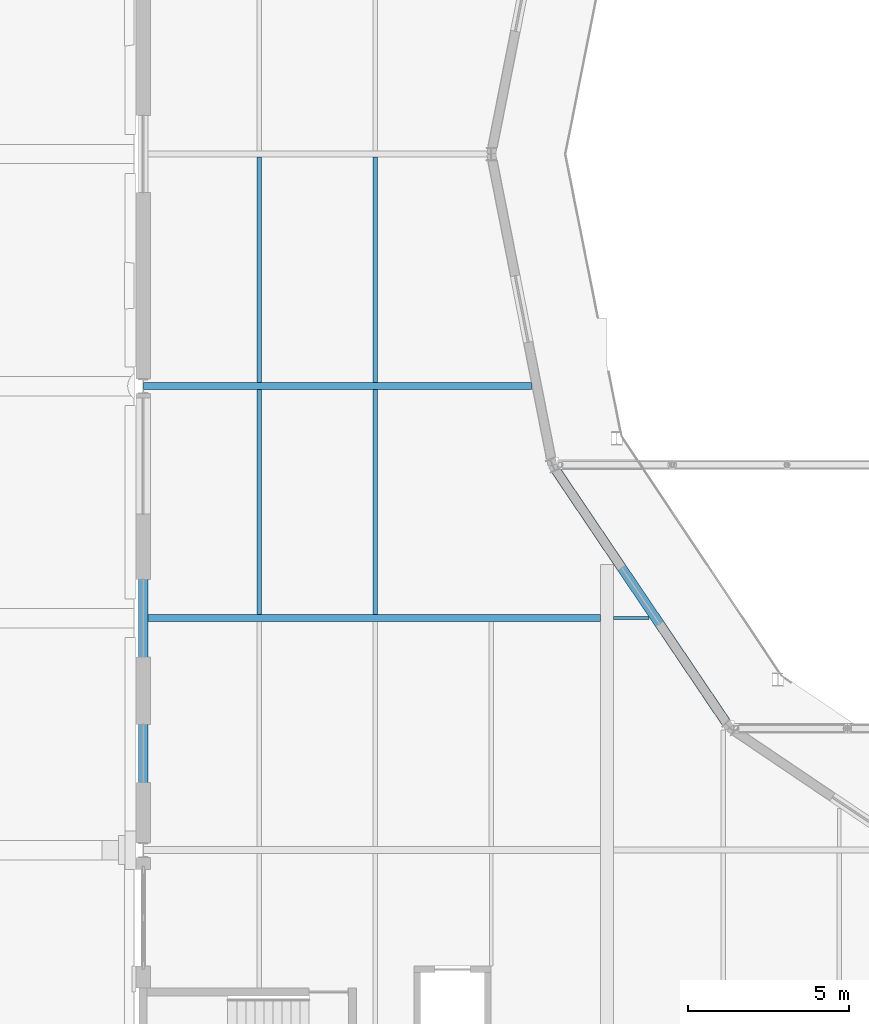
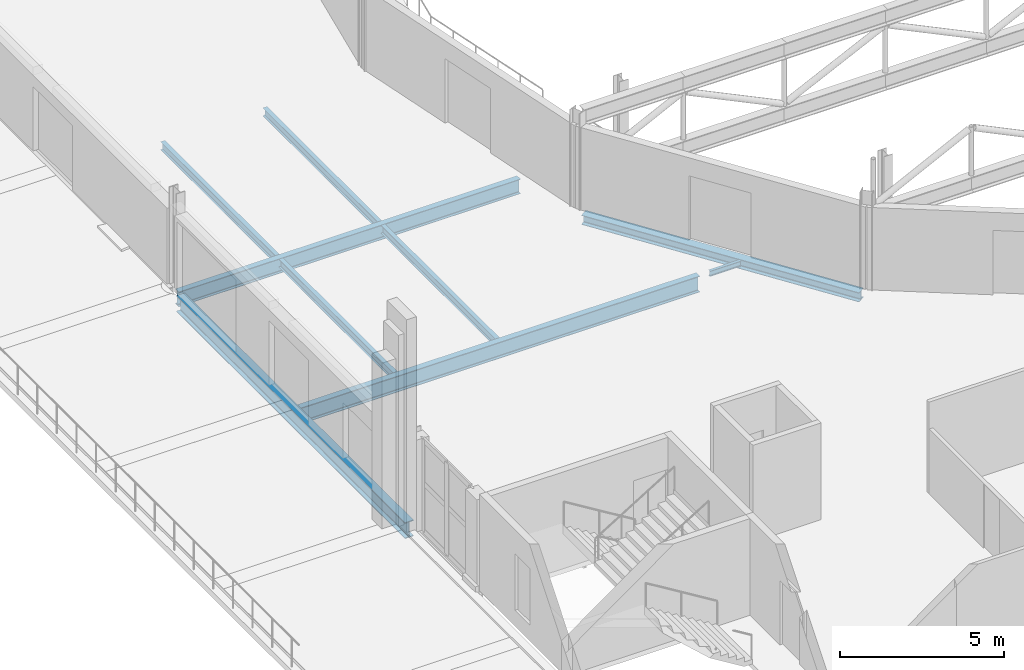
# One storey, part 35 of 143: 9 beams.
"""IFC4 building model written with IfcOpenShell, lengths in metres."""

from ifc_helpers import new_model, si_unit, direction, frame, origin, origin_2d, place, context, subcontext, project, spatial, i_section, extrude, material, material_profile, profile_set, type_object, element, save


model = new_model("IFC4")

# Units and contexts
model_context = context("Model", 3, precision=1e-05, world=origin(), true_north=direction((0.0, 1.0)))
body_context = subcontext(model_context, "Body", "Model", "MODEL_VIEW")
ifc_project = project(units=[si_unit("LENGTHUNIT", "METRE"), si_unit("AREAUNIT", "SQUARE_METRE"), si_unit("VOLUMEUNIT", "CUBIC_METRE"), si_unit("PLANEANGLEUNIT", "RADIAN"), si_unit("MASSUNIT", "GRAM", prefix="KILO")], contexts=[model_context])

# Site, building, storey
site_placement = place(None, origin())
site = spatial("IfcSite", under=ifc_project, at=site_placement, CompositionType="ELEMENT")
building_placement = place(site_placement, origin())
building = spatial("IfcBuilding", under=site, at=building_placement, Name="Kupolbacken Congress Centre", CompositionType="ELEMENT")
storey_placement = place(building_placement, frame((0.0, 0.0, 7.199951171875)))
storey = spatial("IfcBuildingStorey", under=building, at=storey_placement, Name="L02", CompositionType="ELEMENT", Elevation=7.199951171875)

# Beams
ifc_material_1 = material(Name="Steel S355", Category="steel")
ifc_material_profile_1 = material_profile(ifc_material_1, i_section(OverallWidth=0.10009765625, OverallDepth=0.199951171875, WebThickness=0.005615234375, FlangeThickness=0.008544921875, FilletRadius=0.011962890625, at=origin_2d()), Name="IPE 200")
ifc_profile_set_1 = profile_set([ifc_material_profile_1], Name="Steel S355")
beam_type_1 = type_object("IfcBeamType", Name="B01 beam IPE 200", PredefinedType="BEAM", material=ifc_profile_set_1)
beam_1_placement = place(storey_placement, frame((21.800048828125, 72.0, -0.280029296875), z_axis=(1.0, 0.0, 0.0), x_axis=(0.0, 1.0, 0.0)))
element("IfcBeam", 1, at=beam_1_placement, inside=storey, type_object=beam_type_1, Name="S/floor/P/L02/R048", PredefinedType="BEAM", context=body_context, shape_type="SweptSolid", body=[
    extrude(i_section(OverallWidth=0.10009765625, OverallDepth=0.199951171875, WebThickness=0.005615234375, FlangeThickness=0.008544921875, FilletRadius=0.011962890625, at=origin_2d()), origin(), (0.0, 0.0, 1.0), 1.0908203125),
])
ifc_material_2 = material(Name="Steel S355", Category="steel")
ifc_material_profile_2 = material_profile(ifc_material_2, i_section(OverallWidth=0.14990234375, OverallDepth=0.300048828125, WebThickness=0.007080078125, FlangeThickness=0.0107421875, FilletRadius=0.014892578125, at=origin_2d()), Name="IPE 300")
ifc_profile_set_2 = profile_set([ifc_material_profile_2], Name="Steel S355")
beam_type_2 = type_object("IfcBeamType", Name="B04 beam IPE 300", PredefinedType="BEAM", material=ifc_profile_set_2)
beam_2_placement = place(storey_placement, frame((10.800048828125, 72.110107421875, -0.329833984375), z_axis=(0.0, 1.0, 0.0), x_axis=(-1.0, 0.0, 0.0)))
element("IfcBeam", 2, at=beam_2_placement, inside=storey, type_object=beam_type_2, Name="S/floor/P/L02/S078", PredefinedType="BEAM", context=body_context, shape_type="SweptSolid", body=[
    extrude(i_section(OverallWidth=0.14990234375, OverallDepth=0.300048828125, WebThickness=0.007080078125, FlangeThickness=0.0107421875, FilletRadius=0.014892578125, at=origin_2d()), origin(), (0.0, 0.0, 1.0), 6.98486328125),
])
beam_3_placement = place(storey_placement, frame((10.800048828125, 79.304931640625, -0.329833984375), z_axis=(0.0, 1.0, 0.0), x_axis=(-1.0, 0.0, 0.0)))
element("IfcBeam", 3, at=beam_3_placement, inside=storey, type_object=beam_type_2, Name="S/floor/P/L02/S079", PredefinedType="BEAM", context=body_context, shape_type="SweptSolid", body=[
    extrude(i_section(OverallWidth=0.14990234375, OverallDepth=0.300048828125, WebThickness=0.007080078125, FlangeThickness=0.0107421875, FilletRadius=0.014892578125, at=origin_2d()), origin(), (0.0, 0.0, 1.0), 7.0),
])
beam_4_placement = place(storey_placement, frame((14.39990234375, 72.110107421875, -0.329833984375), z_axis=(0.0, 1.0, 0.0), x_axis=(-1.0, 0.0, 0.0)))
element("IfcBeam", 4, at=beam_4_placement, inside=storey, type_object=beam_type_2, Name="S/floor/P/L02/S088", PredefinedType="BEAM", context=body_context, shape_type="SweptSolid", body=[
    extrude(i_section(OverallWidth=0.14990234375, OverallDepth=0.300048828125, WebThickness=0.007080078125, FlangeThickness=0.0107421875, FilletRadius=0.014892578125, at=origin_2d()), origin(), (0.0, 0.0, 1.0), 6.98486328125),
])
beam_5_placement = place(storey_placement, frame((14.39990234375, 79.304931640625, -0.329833984375), z_axis=(0.0, 1.0, 0.0), x_axis=(-1.0, 0.0, 0.0)))
element("IfcBeam", 5, at=beam_5_placement, inside=storey, type_object=beam_type_2, Name="S/floor/P/L02/S089", PredefinedType="BEAM", context=body_context, shape_type="SweptSolid", body=[
    extrude(i_section(OverallWidth=0.14990234375, OverallDepth=0.300048828125, WebThickness=0.007080078125, FlangeThickness=0.0107421875, FilletRadius=0.014892578125, at=origin_2d()), origin(), (0.0, 0.0, 1.0), 7.0),
])
ifc_material_3 = material(Name="Steel S355", Category="steel")
ifc_material_profile_3 = material_profile(ifc_material_3, i_section(OverallWidth=0.2099609375, OverallDepth=0.550048828125, WebThickness=0.010986328125, FlangeThickness=0.01708984375, FilletRadius=0.02392578125, at=origin_2d()), Name="IPE 550")
ifc_profile_set_3 = profile_set([ifc_material_profile_3], Name="Steel S355")
beam_type_3 = type_object("IfcBeamType", Name="B10 beam IPE 550", PredefinedType="BEAM", material=ifc_profile_set_3)
beam_6_placement = place(storey_placement, frame((7.20703125, 79.199951171875, -0.454833984375), z_axis=(1.0, 0.0, 0.0), x_axis=(0.0, 1.0, 0.0)))
element("IfcBeam", 6, at=beam_6_placement, inside=storey, type_object=beam_type_3, Name="S/floor/P/L02/R051", PredefinedType="BEAM", context=body_context, shape_type="SweptSolid", body=[
    extrude(i_section(OverallWidth=0.2099609375, OverallDepth=0.550048828125, WebThickness=0.010986328125, FlangeThickness=0.01708984375, FilletRadius=0.02392578125, at=origin_2d()), origin(), (0.0, 0.0, 1.0), 12.037109375),
])
ifc_material_4 = material(Name="Steel S355", Category="steel")
ifc_material_profile_4 = material_profile(ifc_material_4, i_section(OverallWidth=0.219970703125, OverallDepth=0.60009765625, WebThickness=0.011962890625, FlangeThickness=0.01904296875, FilletRadius=0.02392578125, at=origin_2d()), Name="IPE 600")
ifc_profile_set_4 = profile_set([ifc_material_profile_4], Name="Steel S355")
beam_type_4 = type_object("IfcBeamType", Name="B11 beam IPE 600", PredefinedType="BEAM", material=ifc_profile_set_4)
beam_7_placement = place(storey_placement, frame((7.35009765625, 72.0, -0.47998046875), z_axis=(1.0, 0.0, 0.0), x_axis=(0.0, 1.0, 0.0)))
element("IfcBeam", 7, at=beam_7_placement, inside=storey, type_object=beam_type_4, Name="S/floor/P/L02/R047", PredefinedType="BEAM", context=body_context, shape_type="SweptSolid", body=[
    extrude(i_section(OverallWidth=0.219970703125, OverallDepth=0.60009765625, WebThickness=0.011962890625, FlangeThickness=0.01904296875, FilletRadius=0.02392578125, at=origin_2d()), origin(), (0.0, 0.0, 1.0), 14.0498046875),
])
ifc_material_5 = material(Name="Steel S355", Category="steel")
ifc_material_profile_5 = material_profile(ifc_material_5, i_section(OverallWidth=0.300048828125, OverallDepth=0.35009765625, WebThickness=0.010009765625, FlangeThickness=0.017578125, FilletRadius=0.027099609375, at=origin_2d()), Name="HEA 360")
ifc_profile_set_5 = profile_set([ifc_material_profile_5], Name="Steel S355")
beam_type_5 = type_object("IfcBeamType", Name="B13 beam HEA 360", PredefinedType="BEAM", material=ifc_profile_set_5)
beam_8_placement = place(storey_placement, frame((20.01416015625, 76.580810546875, -0.35498046875), z_axis=(0.55939009895, -0.828904528397, 0.0), x_axis=(0.828904528397, 0.55939009895, 0.0)))
element("IfcBeam", 8, at=beam_8_placement, inside=storey, type_object=beam_type_5, Name="S/floor/P/L02/C010", PredefinedType="BEAM", context=body_context, shape_type="SweptSolid", body=[
    extrude(i_section(OverallWidth=0.300048828125, OverallDepth=0.35009765625, WebThickness=0.010009765625, FlangeThickness=0.017578125, FilletRadius=0.027099609375, at=origin_2d()), origin(), (0.0, 0.0, 1.0), 9.424560546875),
])
ifc_material_6 = material(Name="Steel S355", Category="steel")
ifc_material_profile_6 = material_profile(ifc_material_6, i_section(OverallWidth=0.300048828125, OverallDepth=0.60009765625, WebThickness=0.015380859375, FlangeThickness=0.030029296875, FilletRadius=0.027099609375, at=origin_2d()), Name="HEB 600")
ifc_profile_set_6 = profile_set([ifc_material_profile_6], Name="Steel S355")
beam_type_6 = type_object("IfcBeamType", Name="B15 beam HEB 600", PredefinedType="BEAM", material=ifc_profile_set_6)
beam_9_placement = place(storey_placement, frame((7.199951171875, 65.02490234375, -0.47998046875), z_axis=(0.0, 1.0, 0.0), x_axis=(-1.0, 0.0, 0.0)))
element("IfcBeam", 9, at=beam_9_placement, inside=storey, type_object=beam_type_6, Name="S/floor/P/L02/G018", PredefinedType="BEAM", context=body_context, shape_type="SweptSolid", body=[
    extrude(i_section(OverallWidth=0.300048828125, OverallDepth=0.60009765625, WebThickness=0.015380859375, FlangeThickness=0.030029296875, FilletRadius=0.027099609375, at=origin_2d()), origin(), (0.0, 0.0, 1.0), 13.9501953125),
])

save(model, "model.ifc")
